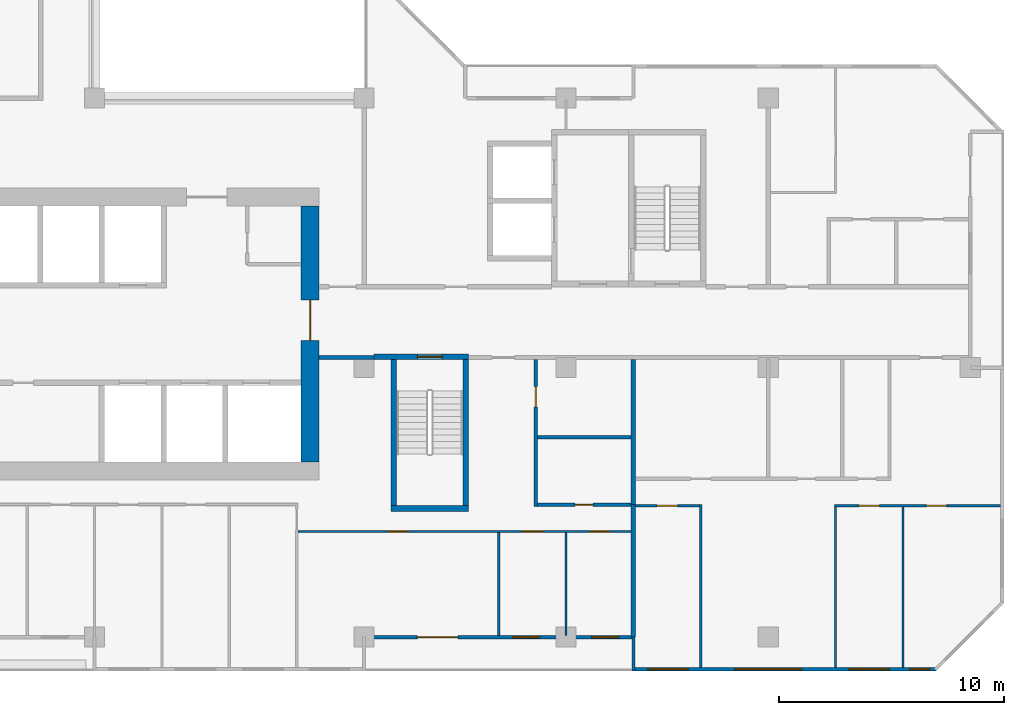
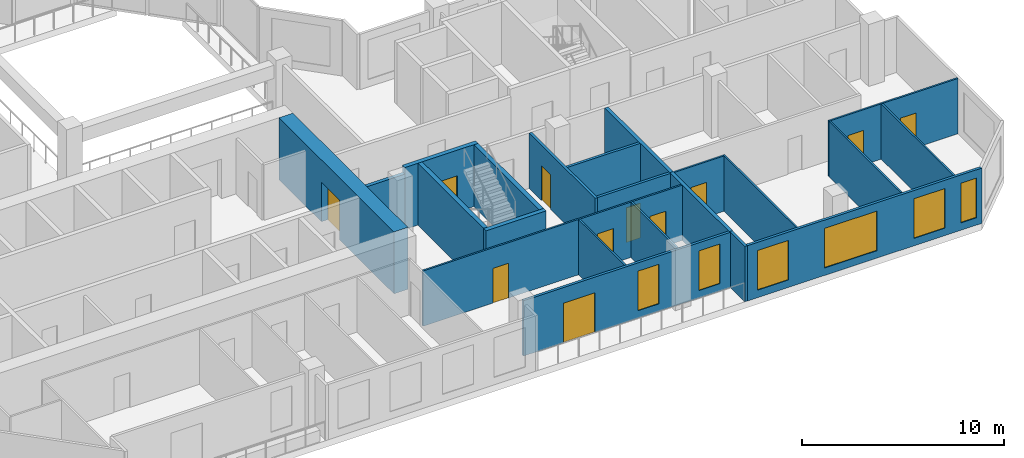
# One storey, part 6 of 14: 22 walls, 11 doors, 6 windows, 17 openings.
"""IFC4 building model written with IfcOpenShell, lengths in metres."""

import ifcopenshell
import ifcopenshell.guid

model = None  # the IFC model being written
_history = None  # IfcOwnerHistory: only IFC2X3 demands one
_inside = {}  # id of a spatial element -> (the spatial element, [elements in it])
_under = {}  # id of a project, library or spatial element -> (it, [spatial elements below it])
_declared = {}  # id of a project -> (the project, [libraries it declares])
_typed = {}  # id of a type object -> (the type object, [elements of that type])
_made_of = {}  # id of a material, layer set ... -> (it, [elements and type objects made of it])


def new_model(schema):
    """Start an empty IFC model of exactly this schema.

    Asked for "IFC4X3", IfcOpenShell would pick the latest addendum, in which some entities
    have other attributes; the version numbers below select the first issue.
    IFC2X3 requires an IfcOwnerHistory on every rooted entity: one is made here for all.
    """
    global model, _history
    if schema == "IFC4X3":
        model = ifcopenshell.file(schema_version=(4, 3, 0, 0))
    else:
        model = ifcopenshell.file(schema=schema)
    _inside.clear()
    _under.clear()
    _declared.clear()
    _typed.clear()
    _made_of.clear()
    _history = None
    if model.schema == "IFC2X3":
        org = make("IfcOrganization", Name="unknown")
        user = make(
            "IfcPersonAndOrganization",
            ThePerson=make("IfcPerson", FamilyName="unknown"),
            TheOrganization=org,
        )
        app = make(
            "IfcApplication",
            ApplicationDeveloper=org,
            Version="unknown",
            ApplicationFullName="unknown",
            ApplicationIdentifier="unknown",
        )
        _history = make(
            "IfcOwnerHistory",
            OwningUser=user,
            OwningApplication=app,
            ChangeAction="ADDED",
            CreationDate=0,
        )
    return model


def make(cls, **values):
    """One entity of the class cls with the attributes given. An attribute that is None is left unset."""
    return model.create_entity(
        cls, **{name: value for name, value in values.items() if value is not None}
    )


def rooted(cls, **values):
    """An entity with a GlobalId (a new one), such as an element, a storey or a relation."""
    return make(cls, GlobalId=ifcopenshell.guid.new(), OwnerHistory=_history, **values)


def si_unit(unit_type, name, prefix=None):
    """IfcSIUnit, for example si_unit("LENGTHUNIT", "METRE", prefix="MILLI")."""
    return make("IfcSIUnit", UnitType=unit_type, Prefix=prefix, Name=name)


def assignment(units):
    """IfcUnitAssignment: the units of a project."""
    return None if units is None else make("IfcUnitAssignment", Units=units)


def point(xyz):
    """IfcCartesianPoint."""
    return None if xyz is None else make("IfcCartesianPoint", Coordinates=xyz)


def direction(xyz):
    """IfcDirection."""
    return None if xyz is None else make("IfcDirection", DirectionRatios=xyz)


def frame(location, z_axis=None, x_axis=None):
    """IfcAxis2Placement3D, a coordinate frame: its origin and axes. An axis left out is left unset."""
    return make(
        "IfcAxis2Placement3D",
        Location=point(location),
        Axis=direction(z_axis),
        RefDirection=direction(x_axis),
    )


def frame_2d(location, x_axis=None):
    """IfcAxis2Placement2D, a coordinate frame in the plane: its origin and x axis."""
    return make(
        "IfcAxis2Placement2D", Location=point(location), RefDirection=direction(x_axis)
    )


def origin():
    """The frame at (0, 0, 0) with its axes left unset."""
    return frame((0.0, 0.0, 0.0))


def place(relative_to, where):
    """IfcLocalPlacement: puts the frame where relative to a parent placement (None: the world)."""
    return make(
        "IfcLocalPlacement", PlacementRelTo=relative_to, RelativePlacement=where
    )


def context(
    kind, dimensions, precision=None, world=None, true_north=None, identifier=None
):
    """IfcGeometricRepresentationContext, for example the 3D "Model" context."""
    return make(
        "IfcGeometricRepresentationContext",
        ContextIdentifier=identifier,
        ContextType=kind,
        CoordinateSpaceDimension=dimensions,
        Precision=precision,
        WorldCoordinateSystem=world,
        TrueNorth=true_north,
    )


def subcontext(parent, identifier, kind, view, scale=None):
    """IfcGeometricRepresentationSubContext, for example "Body" below "Model"."""
    return make(
        "IfcGeometricRepresentationSubContext",
        ContextIdentifier=identifier,
        ContextType=kind,
        ParentContext=parent,
        TargetScale=scale,
        TargetView=view,
    )


def project(units=None, contexts=None):
    """IfcProject with its units and contexts."""
    return rooted(
        "IfcProject",
        Name="project",
        RepresentationContexts=contexts,
        UnitsInContext=assignment(units),
    )


def spatial(cls, under=None, at=None, **own):
    """A site, building, storey or space (cls), placed at a placement, below another one or the project."""
    s = rooted(cls, ObjectPlacement=at, **own)
    if under is not None:
        _under.setdefault(under.id(), (under, []))[1].append(s)
    return s


def profile(cls, at=None, kind="AREA", **sizes):
    """A parametric profile (cls). Its sizes go by their IFC names, for example OverallWidth=200.0."""
    return make(cls, ProfileType=kind, Position=at, **sizes)


def rectangle(**sizes):
    """IfcRectangleProfileDef."""
    return profile("IfcRectangleProfileDef", **sizes)


def extrude(swept, where, along, depth):
    """IfcExtrudedAreaSolid: the profile swept, set in the frame where, extruded along a direction by depth."""
    return make(
        "IfcExtrudedAreaSolid",
        SweptArea=swept,
        Position=where,
        ExtrudedDirection=direction(along),
        Depth=depth,
    )


def shape(context_of_items, identifier, shape_type, items):
    """IfcShapeRepresentation: the items that make up one representation, for example the "Body"."""
    return make(
        "IfcShapeRepresentation",
        ContextOfItems=context_of_items,
        RepresentationIdentifier=identifier,
        RepresentationType=shape_type,
        Items=items,
    )


def material(Name=None, Category=None):
    """IfcMaterial."""
    return make("IfcMaterial", Name=Name, Category=Category)


def layer(
    of_material, thickness, ventilated=None, Name=None, Category=None, Priority=None
):
    """IfcMaterialLayer: one layer of a wall or slab, of a material (None: an air gap)."""
    return make(
        "IfcMaterialLayer",
        Material=of_material,
        LayerThickness=thickness,
        IsVentilated=ventilated,
        Name=Name,
        Category=Category,
        Priority=Priority,
    )


def layer_set(layers, Name=None):
    """IfcMaterialLayerSet."""
    return make("IfcMaterialLayerSet", MaterialLayers=layers, LayerSetName=Name)


def made_of(thing, what):
    """Note that an element or type object is made of a material, layer set ...; save() writes the relation."""
    if what is not None:
        _made_of.setdefault(what.id(), (what, []))[1].append(thing)
    return thing


def type_object(cls, material=None, **own):
    """A type object (cls), such as IfcWallType, which elements share."""
    return made_of(rooted(cls, **own), material)


def element(
    cls,
    number,
    at=None,
    inside=None,
    cuts=None,
    type_object=None,
    material=None,
    context=None,
    identifier="Body",
    shape_type=None,
    held_by="IfcProductDefinitionShape",
    body=None,
    shapes=None,
    **own,
):
    """One element of the class cls, such as IfcWall. Its Tag is "e" and its number.

    at: its placement. inside: the storey or other place that contains it. cuts: it is an
    opening in that element (IfcRelVoidsElement). A single representation is given by context,
    identifier, shape_type and body (its items); several are given by shapes. held_by: the class
    of the entity that holds the representations. save() writes the other relations.
    """
    e = rooted(cls, Tag="e%d" % number, ObjectPlacement=at, **own)
    if body is not None:
        shapes = [shape(context, identifier, shape_type, body)]
    if shapes is not None:
        e.Representation = make(held_by, Representations=shapes)
    if inside is not None:
        _inside.setdefault(inside.id(), (inside, []))[1].append(e)
    if cuts is not None:
        rooted(
            "IfcRelVoidsElement", RelatingBuildingElement=cuts, RelatedOpeningElement=e
        )
    if type_object is not None:
        _typed.setdefault(type_object.id(), (type_object, []))[1].append(e)
    return made_of(e, material)


def fill(opening, filler):
    """IfcRelFillsElement: the door or window that sits in an opening."""
    return rooted(
        "IfcRelFillsElement",
        RelatingOpeningElement=opening,
        RelatedBuildingElement=filler,
    )


def aggregate(whole, parts):
    """IfcRelAggregates: a whole, such as a stair, and the parts it consists of."""
    return rooted("IfcRelAggregates", RelatingObject=whole, RelatedObjects=parts)


def save(model, path):
    """Write the relations noted so far, then the file.

    IfcRelAggregates (storeys below a building ...), IfcRelContainedInSpatialStructure (elements
    in a storey), IfcRelDefinesByType, IfcRelAssociatesMaterial and IfcRelDeclares: one each for
    every whole, place, type object, material and project.
    """
    for whole, parts in _under.values():
        aggregate(whole, parts)
    for where, things in _inside.values():
        rooted(
            "IfcRelContainedInSpatialStructure",
            RelatedElements=things,
            RelatingStructure=where,
        )
    for kind, things in _typed.values():
        rooted("IfcRelDefinesByType", RelatedObjects=things, RelatingType=kind)
    for what, things in _made_of.values():
        rooted("IfcRelAssociatesMaterial", RelatedObjects=things, RelatingMaterial=what)
    for by, libraries in _declared.values():
        rooted("IfcRelDeclares", RelatingContext=by, RelatedDefinitions=libraries)
    model.write(path)


model = new_model("IFC4")

# Units and contexts
model_context = context("Model", 3, precision=1e-05, world=origin(), true_north=direction((0.0, 1.0)))
body_context = subcontext(model_context, "Body", "Model", "MODEL_VIEW")
ifc_project = project(units=[si_unit("LENGTHUNIT", "METRE"), si_unit("AREAUNIT", "SQUARE_METRE"), si_unit("VOLUMEUNIT", "CUBIC_METRE"), si_unit("PLANEANGLEUNIT", "RADIAN"), si_unit("MASSUNIT", "GRAM", prefix="KILO")], contexts=[model_context])

# Site, building, storey
site_placement = place(None, origin())
site = spatial("IfcSite", under=ifc_project, at=site_placement, CompositionType="ELEMENT")
building_placement = place(site_placement, origin())
building = spatial("IfcBuilding", under=site, at=building_placement, Name="Chenar Terraces", CompositionType="ELEMENT")
storey_placement = place(building_placement, frame((0.0, 0.0, 183.64990234375)))
storey = spatial("IfcBuildingStorey", under=building, at=storey_placement, Name="L42", CompositionType="ELEMENT", Elevation=183.64990234375)

# Wall
ifc_material_1 = material(Name="Concrete C60/75", Category="concrete")
ifc_layer_1 = layer(ifc_material_1, 0.25)
ifc_layer_set_1 = layer_set([ifc_layer_1], Name="Concrete C60/75")
wall_type_1 = type_object("IfcWallType", Name="Core wall 250 Concrete C60/75", PredefinedType="SHEAR", material=ifc_layer_set_1)
wall_1_placement = place(storey_placement, frame((37.199951171875, 5.72509765625, 0.0), z_axis=(0.0, 0.0, 1.0), x_axis=(1.0, 0.0, 0.0)))
element("IfcWall", 1, at=wall_1_placement, inside=storey, type_object=wall_type_1, Name="Core wall ST2_S L42", PredefinedType="SHEAR", context=body_context, shape_type="SweptSolid", body=[
    extrude(rectangle(XDim=3.449951171875, YDim=0.25, at=frame_2d((1.72509765625, 0.0))), origin(), (0.0, 0.0, 1.0), 3.75),
])

# Wall, opening, door
wall_2_placement = place(storey_placement, frame((36.449951171875, 12.47509765625, 0.0), z_axis=(0.0, 0.0, 1.0), x_axis=(1.0, 0.0, 0.0)))
wall_2 = element("IfcWall", 2, at=wall_2_placement, inside=storey, type_object=wall_type_1, Name="Core wall ST2_N L42", PredefinedType="SHEAR", context=body_context, shape_type="SweptSolid", body=[
    extrude(rectangle(XDim=4.199951171875, YDim=0.25, at=frame_2d((2.10009765625, 0.0))), origin(), (0.0, 0.0, 1.0), 3.75),
])
opening_1_placement = place(wall_2_placement, frame((1.925048828125, 0.0, 0.0)))
opening_1 = element("IfcOpeningElement", 3, at=opening_1_placement, cuts=wall_2, Name="Opening DL42-C7", PredefinedType="OPENING", context=body_context, shape_type="SweptSolid", body=[
    extrude(rectangle(XDim=1.10009765625, YDim=2.199951171875, at=frame_2d((0.550048828125, 1.10009765625))), frame((0.0, 0.135009765625, 0.0), z_axis=(0.0, -1.0, 0.0), x_axis=(1.0, 0.0, 0.0)), (0.0, 0.0, 1.0), 0.27001953125),
])
ifc_material_2 = material(Name="Steel-framed fire-resisting door leaf", Category="steel")
door_type_1 = type_object("IfcDoorType", Name="Stair fire door FD60 1100 x 2200", OperationType="SINGLE_SWING_LEFT", PredefinedType="DOOR", material=ifc_material_2)
door_1_placement = place(opening_1_placement, frame((1.10009765625, 0.0, 0.0), z_axis=(0.0, 0.0, 1.0), x_axis=(-1.0, 0.0, 0.0)))
door_1 = element("IfcDoor", 4, at=door_1_placement, inside=storey, type_object=door_type_1, Name="Stair door DL42-C7", OperationType="SINGLE_SWING_RIGHT", OverallHeight=2.199951171875, OverallWidth=1.10009765625, PredefinedType="DOOR", context=body_context, shape_type="SweptSolid", body=[
    extrude(rectangle(XDim=1.10009765625, YDim=2.199951171875, at=frame_2d((0.550048828125, 1.10009765625))), frame((0.0, 0.02490234375, 0.0), z_axis=(0.0, -1.0, 0.0), x_axis=(1.0, 0.0, 0.0)), (0.0, 0.0, 1.0), 0.050048828125),
])
fill(opening_1, door_1)

# Walls
for number, where, z_axis, x_axis, name in (
    (5, (37.324951171875, 5.85009765625, 0.0), (0.0, 0.0, 1.0), (0.0, 1.0, 0.0), "Core wall ST2_W L42"),
    (6, (40.52490234375, 5.85009765625, 0.0), (0.0, 0.0, 1.0), (0.0, 1.0, 0.0), "Core wall ST2_E L42"),
):
    element("IfcWall", number, at=place(storey_placement, frame(where, z_axis=z_axis, x_axis=x_axis)), inside=storey, type_object=wall_type_1, Name=name, PredefinedType="SHEAR", context=body_context, shape_type="SweptSolid", body=[
        extrude(rectangle(XDim=6.5, YDim=0.25, at=frame_2d((3.25, 0.0))), origin(), (0.0, 0.0, 1.0), 3.75),
    ])

# Wall, opening, door
ifc_material_3 = material(Name="Concrete C60/75", Category="concrete")
ifc_layer_2 = layer(ifc_material_3, 0.800048828125)
ifc_layer_set_2 = layer_set([ifc_layer_2], Name="Concrete C60/75")
wall_type_2 = type_object("IfcWallType", Name="Core wall 800 Concrete C60/75", PredefinedType="SHEAR", material=ifc_layer_set_2)
wall_3_placement = place(storey_placement, frame((33.60009765625, 7.800048828125, 0.0), z_axis=(0.0, 0.0, 1.0), x_axis=(0.0, 1.0, 0.0)))
wall_3 = element("IfcWall", 7, at=wall_3_placement, inside=storey, type_object=wall_type_2, Name="Core wall E L42", PredefinedType="SHEAR", context=body_context, shape_type="SweptSolid", body=[
    extrude(rectangle(XDim=11.39990234375, YDim=0.800048828125, at=frame_2d((5.699951171875, 0.0))), origin(), (0.0, 0.0, 1.0), 3.75),
])
opening_2_placement = place(wall_3_placement, frame((5.39990234375, 0.0, 0.0)))
opening_2 = element("IfcOpeningElement", 8, at=opening_2_placement, cuts=wall_3, Name="Opening DL42-C1", PredefinedType="OPENING", context=body_context, shape_type="SweptSolid", body=[
    extrude(rectangle(XDim=1.800048828125, YDim=2.39990234375, at=frame_2d((0.89990234375, 1.199951171875))), frame((0.0, 0.409912109375, 0.0), z_axis=(0.0, -1.0, 0.0), x_axis=(1.0, 0.0, 0.0)), (0.0, 0.0, 1.0), 0.820068359375),
])
ifc_material_4 = material(Name="Steel-framed fire-resisting door leaf", Category="steel")
door_type_2 = type_object("IfcDoorType", Name="Core entrance double fire door FD60 1800 x 2400", OperationType="DOUBLE_DOOR_SINGLE_SWING", PredefinedType="DOOR", material=ifc_material_4)
door_2_placement = place(opening_2_placement, origin())
door_2 = element("IfcDoor", 9, at=door_2_placement, inside=storey, type_object=door_type_2, Name="Core door DL42-C1", OperationType="DOUBLE_DOOR_SINGLE_SWING", OverallHeight=2.39990234375, OverallWidth=1.800048828125, PredefinedType="DOOR", context=body_context, shape_type="SweptSolid", body=[
    extrude(rectangle(XDim=1.800048828125, YDim=2.39990234375, at=frame_2d((0.89990234375, 1.199951171875))), frame((0.0, 0.02490234375, 0.0), z_axis=(0.0, -1.0, 0.0), x_axis=(1.0, 0.0, 0.0)), (0.0, 0.0, 1.0), 0.050048828125),
])
fill(opening_2, door_2)

# Wall
ifc_material_5 = material(Name="Gypsum board on steel studs with fire boards", Category="steel")
ifc_layer_3 = layer(ifc_material_5, 0.199951171875)
ifc_layer_set_3 = layer_set([ifc_layer_3], Name="Gypsum board on steel studs with fire boards")
wall_type_3 = type_object("IfcWallType", Name="Corridor wall 200", PredefinedType="PARTITIONING", material=ifc_layer_set_3)
wall_4_placement = place(storey_placement, frame((34.0, 12.449951171875, 0.0), z_axis=(0.0, 0.0, 1.0), x_axis=(1.0, 0.0, 0.0)))
element("IfcWall", 10, at=wall_4_placement, inside=storey, type_object=wall_type_3, Name="Partition L42-059", PredefinedType="PARTITIONING", context=body_context, shape_type="SweptSolid", body=[
    extrude(rectangle(XDim=2.450927734375, YDim=0.199951171875, at=frame_2d((1.2255859375, 0.0))), origin(), (0.0, 0.0, 1.0), 3.35009765625),
])

# Wall, openings, windows
ifc_material_6 = material(Name="Aluminium framed glazing", Category="aluminium")
ifc_layer_4 = layer(ifc_material_6, 0.14990234375)
ifc_layer_set_4 = layer_set([ifc_layer_4], Name="Aluminium framed glazing")
wall_type_4 = type_object("IfcWallType", Name="Glazed flush facade wall 150", PredefinedType="SOLIDWALL", material=ifc_layer_set_4)
wall_5_placement = place(storey_placement, frame((48.074951171875, -1.425048828125, 0.0), z_axis=(0.0, 0.0, 1.0), x_axis=(1.0, 0.0, 0.0)))
wall_5 = element("IfcWall", 11, at=wall_5_placement, inside=storey, type_object=wall_type_4, Name="Glazed flush facade wall", PredefinedType="SOLIDWALL", context=body_context, shape_type="SweptSolid", body=[
    extrude(rectangle(XDim=13.425048828125, YDim=0.14990234375, at=frame_2d((6.71240234375, 0.0))), origin(), (0.0, 0.0, 1.0), 3.35009765625),
])
opening_3_placement = place(wall_5_placement, frame((0.5625, 0.0, 0.449951171875)))
opening_3 = element("IfcOpeningElement", 12, at=opening_3_placement, cuts=wall_5, Name="Opening W180x240", PredefinedType="OPENING", context=body_context, shape_type="SweptSolid", body=[
    extrude(rectangle(XDim=1.800048828125, YDim=2.39990234375, at=frame_2d((0.89990234375, 1.199951171875))), frame((0.0, 0.0849609375, 0.0), z_axis=(0.0, -1.0, 0.0), x_axis=(1.0, 0.0, 0.0)), (0.0, 0.0, 1.0), 0.169921875),
])
opening_4_placement = place(wall_5_placement, frame((4.425048828125, 0.0, 0.449951171875)))
opening_4 = element("IfcOpeningElement", 13, at=opening_4_placement, cuts=wall_5, Name="Opening W300x240", PredefinedType="OPENING", context=body_context, shape_type="SweptSolid", body=[
    extrude(rectangle(XDim=3.0, YDim=2.39990234375, at=frame_2d((1.5, 1.199951171875))), frame((0.0, 0.0849609375, 0.0), z_axis=(0.0, -1.0, 0.0), x_axis=(1.0, 0.0, 0.0)), (0.0, 0.0, 1.0), 0.169921875),
])
opening_5_placement = place(wall_5_placement, frame((9.52490234375, 0.0, 0.449951171875)))
opening_5 = element("IfcOpeningElement", 14, at=opening_5_placement, cuts=wall_5, Name="Opening W180x240", PredefinedType="OPENING", context=body_context, shape_type="SweptSolid", body=[
    extrude(rectangle(XDim=1.800048828125, YDim=2.39990234375, at=frame_2d((0.89990234375, 1.199951171875))), frame((0.0, 0.0849609375, 0.0), z_axis=(0.0, -1.0, 0.0), x_axis=(1.0, 0.0, 0.0)), (0.0, 0.0, 1.0), 0.169921875),
])
opening_6_placement = place(wall_5_placement, frame((12.22509765625, 0.0, 0.449951171875)))
opening_6 = element("IfcOpeningElement", 15, at=opening_6_placement, cuts=wall_5, Name="Opening W90x240", PredefinedType="OPENING", context=body_context, shape_type="SweptSolid", body=[
    extrude(rectangle(XDim=0.89990234375, YDim=2.39990234375, at=frame_2d((0.449951171875, 1.199951171875))), frame((0.0, 0.0849609375, 0.0), z_axis=(0.0, -1.0, 0.0), x_axis=(1.0, 0.0, 0.0)), (0.0, 0.0, 1.0), 0.169921875),
])
ifc_material_7 = material(Name="Low emissivity double glazing, aluminium frame", Category="aluminium")
window_type_1 = type_object("IfcWindowType", Name="Fixed light 1800 x 2400", PartitioningType="SINGLE_PANEL", PredefinedType="WINDOW", material=ifc_material_7)
window_1_placement = place(opening_3_placement, origin())
window_1 = element("IfcWindow", 16, at=window_1_placement, inside=storey, type_object=window_type_1, Name="Window", OverallHeight=2.39990234375, OverallWidth=1.800048828125, PartitioningType="SINGLE_PANEL", PredefinedType="WINDOW", context=body_context, shape_type="SweptSolid", body=[
    extrude(rectangle(XDim=1.800048828125, YDim=2.39990234375, at=frame_2d((0.89990234375, 1.199951171875))), frame((0.0, 0.030029296875, 0.0), z_axis=(0.0, -1.0, 0.0), x_axis=(1.0, 0.0, 0.0)), (0.0, 0.0, 1.0), 0.06005859375),
])
fill(opening_3, window_1)
window_2_placement = place(opening_5_placement, origin())
window_2 = element("IfcWindow", 17, at=window_2_placement, inside=storey, type_object=window_type_1, Name="Window", OverallHeight=2.39990234375, OverallWidth=1.800048828125, PartitioningType="SINGLE_PANEL", PredefinedType="WINDOW", context=body_context, shape_type="SweptSolid", body=[
    extrude(rectangle(XDim=1.800048828125, YDim=2.39990234375, at=frame_2d((0.89990234375, 1.199951171875))), frame((0.0, 0.030029296875, 0.0), z_axis=(0.0, -1.0, 0.0), x_axis=(1.0, 0.0, 0.0)), (0.0, 0.0, 1.0), 0.06005859375),
])
fill(opening_5, window_2)
ifc_material_8 = material(Name="Low emissivity double glazing, aluminium frame", Category="aluminium")
window_type_2 = type_object("IfcWindowType", Name="Fixed light 3000 x 2400", PartitioningType="SINGLE_PANEL", PredefinedType="WINDOW", material=ifc_material_8)
window_3_placement = place(opening_4_placement, origin())
window_3 = element("IfcWindow", 18, at=window_3_placement, inside=storey, type_object=window_type_2, Name="Window", OverallHeight=2.39990234375, OverallWidth=3.0, PartitioningType="SINGLE_PANEL", PredefinedType="WINDOW", context=body_context, shape_type="SweptSolid", body=[
    extrude(rectangle(XDim=3.0, YDim=2.39990234375, at=frame_2d((1.5, 1.199951171875))), frame((0.0, 0.030029296875, 0.0), z_axis=(0.0, -1.0, 0.0), x_axis=(1.0, 0.0, 0.0)), (0.0, 0.0, 1.0), 0.06005859375),
])
fill(opening_4, window_3)
ifc_material_9 = material(Name="Low emissivity double glazing, aluminium frame", Category="aluminium")
window_type_3 = type_object("IfcWindowType", Name="Fixed light 900 x 2400", PartitioningType="SINGLE_PANEL", PredefinedType="WINDOW", material=ifc_material_9)
window_4_placement = place(opening_6_placement, origin())
window_4 = element("IfcWindow", 19, at=window_4_placement, inside=storey, type_object=window_type_3, Name="Window", OverallHeight=2.39990234375, OverallWidth=0.89990234375, PartitioningType="SINGLE_PANEL", PredefinedType="WINDOW", context=body_context, shape_type="SweptSolid", body=[
    extrude(rectangle(XDim=0.89990234375, YDim=2.39990234375, at=frame_2d((0.449951171875, 1.199951171875))), frame((0.0, 0.030029296875, 0.0), z_axis=(0.0, -1.0, 0.0), x_axis=(1.0, 0.0, 0.0)), (0.0, 0.0, 1.0), 0.06005859375),
])
fill(opening_6, window_4)

# Wall, openings, windows, door
ifc_material_10 = material(Name="Aluminium framed glazing", Category="aluminium")
ifc_layer_5 = layer(ifc_material_10, 0.14990234375)
ifc_layer_set_5 = layer_set([ifc_layer_5], Name="Aluminium framed glazing")
wall_type_5 = type_object("IfcWallType", Name="Glazed loggia back wall 150", PredefinedType="SOLIDWALL", material=ifc_layer_set_5)
wall_6_placement = place(storey_placement, frame((36.074951171875, 0.0, 0.0), z_axis=(0.0, 0.0, 1.0), x_axis=(1.0, 0.0, 0.0)))
wall_6 = element("IfcWall", 20, at=wall_6_placement, inside=storey, type_object=wall_type_5, Name="Glazed loggia back wall", PredefinedType="SOLIDWALL", context=body_context, shape_type="SweptSolid", body=[
    extrude(rectangle(XDim=11.85009765625, YDim=0.14990234375, at=frame_2d((5.925048828125, 0.0))), origin(), (0.0, 0.0, 1.0), 3.35009765625),
])
opening_7_placement = place(wall_6_placement, frame((2.300048828125, 0.0, 0.0)))
opening_7 = element("IfcOpeningElement", 21, at=opening_7_placement, cuts=wall_6, Name="Opening DL42-G6", PredefinedType="OPENING", context=body_context, shape_type="SweptSolid", body=[
    extrude(rectangle(XDim=1.800048828125, YDim=2.39990234375, at=frame_2d((0.89990234375, 1.199951171875))), frame((0.0, 0.0849609375, 0.0), z_axis=(0.0, -1.0, 0.0), x_axis=(1.0, 0.0, 0.0)), (0.0, 0.0, 1.0), 0.169921875),
])
opening_8_placement = place(wall_6_placement, frame((6.550048828125, 0.0, 0.449951171875)))
opening_8 = element("IfcOpeningElement", 22, at=opening_8_placement, cuts=wall_6, Name="Opening W120x240", PredefinedType="OPENING", context=body_context, shape_type="SweptSolid", body=[
    extrude(rectangle(XDim=1.199951171875, YDim=2.39990234375, at=frame_2d((0.60009765625, 1.199951171875))), frame((0.0, 0.0849609375, 0.0), z_axis=(0.0, -1.0, 0.0), x_axis=(1.0, 0.0, 0.0)), (0.0, 0.0, 1.0), 0.169921875),
])
opening_9_placement = place(wall_6_placement, frame((10.0625, 0.0, 0.449951171875)))
opening_9 = element("IfcOpeningElement", 23, at=opening_9_placement, cuts=wall_6, Name="Opening W120x240", PredefinedType="OPENING", context=body_context, shape_type="SweptSolid", body=[
    extrude(rectangle(XDim=1.199951171875, YDim=2.39990234375, at=frame_2d((0.60009765625, 1.199951171875))), frame((0.0, 0.0849609375, 0.0), z_axis=(0.0, -1.0, 0.0), x_axis=(1.0, 0.0, 0.0)), (0.0, 0.0, 1.0), 0.169921875),
])
ifc_material_11 = material(Name="Low emissivity double glazing, aluminium frame", Category="aluminium")
window_type_4 = type_object("IfcWindowType", Name="Fixed light 1200 x 2400", PartitioningType="SINGLE_PANEL", PredefinedType="WINDOW", material=ifc_material_11)
window_5_placement = place(opening_8_placement, origin())
window_5 = element("IfcWindow", 24, at=window_5_placement, inside=storey, type_object=window_type_4, Name="Window", OverallHeight=2.39990234375, OverallWidth=1.199951171875, PartitioningType="SINGLE_PANEL", PredefinedType="WINDOW", context=body_context, shape_type="SweptSolid", body=[
    extrude(rectangle(XDim=1.199951171875, YDim=2.39990234375, at=frame_2d((0.60009765625, 1.199951171875))), frame((0.0, 0.030029296875, 0.0), z_axis=(0.0, -1.0, 0.0), x_axis=(1.0, 0.0, 0.0)), (0.0, 0.0, 1.0), 0.06005859375),
])
fill(opening_8, window_5)
window_6_placement = place(opening_9_placement, origin())
window_6 = element("IfcWindow", 25, at=window_6_placement, inside=storey, type_object=window_type_4, Name="Window", OverallHeight=2.39990234375, OverallWidth=1.199951171875, PartitioningType="SINGLE_PANEL", PredefinedType="WINDOW", context=body_context, shape_type="SweptSolid", body=[
    extrude(rectangle(XDim=1.199951171875, YDim=2.39990234375, at=frame_2d((0.60009765625, 1.199951171875))), frame((0.0, 0.030029296875, 0.0), z_axis=(0.0, -1.0, 0.0), x_axis=(1.0, 0.0, 0.0)), (0.0, 0.0, 1.0), 0.06005859375),
])
fill(opening_9, window_6)
ifc_material_12 = material(Name="Low emissivity double glazing, aluminium frame", Category="aluminium")
door_type_3 = type_object("IfcDoorType", Name="Loggia glazed double door 1800 x 2400", OperationType="DOUBLE_DOOR_SINGLE_SWING", PredefinedType="DOOR", material=ifc_material_12)
door_3_placement = place(opening_7_placement, frame((1.800048828125, 0.0, 0.0), z_axis=(0.0, 0.0, 1.0), x_axis=(-1.0, 0.0, 0.0)))
door_3 = element("IfcDoor", 26, at=door_3_placement, inside=storey, type_object=door_type_3, Name="Loggia glazed door", OperationType="DOUBLE_DOOR_SINGLE_SWING", OverallHeight=2.39990234375, OverallWidth=1.800048828125, PredefinedType="DOOR", context=body_context, shape_type="SweptSolid", body=[
    extrude(rectangle(XDim=1.800048828125, YDim=2.39990234375, at=frame_2d((0.89990234375, 1.199951171875))), frame((0.0, 0.02490234375, 0.0), z_axis=(0.0, -1.0, 0.0), x_axis=(1.0, 0.0, 0.0)), (0.0, 0.0, 1.0), 0.050048828125),
])
fill(opening_7, door_3)

# Wall, openings, doors
ifc_material_13 = material(Name="Gypsum board on steel studs", Category="steel")
ifc_layer_6 = layer(ifc_material_13, 0.10009765625)
ifc_layer_set_6 = layer_set([ifc_layer_6], Name="Gypsum board on steel studs")
wall_type_6 = type_object("IfcWallType", Name="Gypsum partition 100", PredefinedType="PARTITIONING", material=ifc_layer_set_6)
wall_7_placement = place(storey_placement, frame((33.050048828125, 4.699951171875, 0.0), z_axis=(0.0, 0.0, 1.0), x_axis=(1.0, 0.0, 0.0)))
wall_7 = element("IfcWall", 27, at=wall_7_placement, inside=storey, type_object=wall_type_6, Name="Partition L42-058", PredefinedType="PARTITIONING", context=body_context, shape_type="SweptSolid", body=[
    extrude(rectangle(XDim=14.849853515625, YDim=0.10009765625, at=frame_2d((7.4248046875, 0.0))), origin(), (0.0, 0.0, 1.0), 3.35009765625),
])
opening_10_placement = place(wall_7_placement, frame((10.0, 0.0, 0.0)))
opening_10 = element("IfcOpeningElement", 28, at=opening_10_placement, cuts=wall_7, Name="Opening DL42-45", PredefinedType="OPENING", context=body_context, shape_type="SweptSolid", body=[
    extrude(rectangle(XDim=0.89990234375, YDim=2.10009765625, at=frame_2d((0.449951171875, 1.050048828125))), frame((0.0, 0.06005859375, 0.0), z_axis=(0.0, -1.0, 0.0), x_axis=(1.0, 0.0, 0.0)), (0.0, 0.0, 1.0), 0.1201171875),
])
opening_11_placement = place(wall_7_placement, frame((13.0, 0.0, 0.0)))
opening_11 = element("IfcOpeningElement", 29, at=opening_11_placement, cuts=wall_7, Name="Opening DL42-46", PredefinedType="OPENING", context=body_context, shape_type="SweptSolid", body=[
    extrude(rectangle(XDim=0.89990234375, YDim=2.10009765625, at=frame_2d((0.449951171875, 1.050048828125))), frame((0.0, 0.06005859375, 0.0), z_axis=(0.0, -1.0, 0.0), x_axis=(1.0, 0.0, 0.0)), (0.0, 0.0, 1.0), 0.1201171875),
])
opening_12_placement = place(wall_7_placement, frame((4.0, 0.0, 0.0)))
opening_12 = element("IfcOpeningElement", 30, at=opening_12_placement, cuts=wall_7, Name="Opening DL42-52", PredefinedType="OPENING", context=body_context, shape_type="SweptSolid", body=[
    extrude(rectangle(XDim=0.89990234375, YDim=2.10009765625, at=frame_2d((0.449951171875, 1.050048828125))), frame((0.0, 0.06005859375, 0.0), z_axis=(0.0, -1.0, 0.0), x_axis=(1.0, 0.0, 0.0)), (0.0, 0.0, 1.0), 0.1201171875),
])
ifc_material_14 = material(Name="Veneered timber door leaf", Category="wood")
door_type_4 = type_object("IfcDoorType", Name="Door 900 x 2100", OperationType="SINGLE_SWING_LEFT", PredefinedType="DOOR", material=ifc_material_14)
door_4_placement = place(opening_10_placement, frame((0.89990234375, 0.0, 0.0), z_axis=(0.0, 0.0, 1.0), x_axis=(-1.0, 0.0, 0.0)))
door_4 = element("IfcDoor", 31, at=door_4_placement, inside=storey, type_object=door_type_4, Name="Door DL42-45", OperationType="SINGLE_SWING_LEFT", OverallHeight=2.10009765625, OverallWidth=0.89990234375, PredefinedType="DOOR", context=body_context, shape_type="SweptSolid", body=[
    extrude(rectangle(XDim=0.89990234375, YDim=2.10009765625, at=frame_2d((0.449951171875, 1.050048828125))), frame((0.0, 0.02490234375, 0.0), z_axis=(0.0, -1.0, 0.0), x_axis=(1.0, 0.0, 0.0)), (0.0, 0.0, 1.0), 0.050048828125),
])
fill(opening_10, door_4)
door_5_placement = place(opening_11_placement, frame((0.89990234375, 0.0, 0.0), z_axis=(0.0, 0.0, 1.0), x_axis=(-1.0, 0.0, 0.0)))
door_5 = element("IfcDoor", 32, at=door_5_placement, inside=storey, type_object=door_type_4, Name="Door DL42-46", OperationType="SINGLE_SWING_LEFT", OverallHeight=2.10009765625, OverallWidth=0.89990234375, PredefinedType="DOOR", context=body_context, shape_type="SweptSolid", body=[
    extrude(rectangle(XDim=0.89990234375, YDim=2.10009765625, at=frame_2d((0.449951171875, 1.050048828125))), frame((0.0, 0.02490234375, 0.0), z_axis=(0.0, -1.0, 0.0), x_axis=(1.0, 0.0, 0.0)), (0.0, 0.0, 1.0), 0.050048828125),
])
fill(opening_11, door_5)
door_6_placement = place(opening_12_placement, frame((0.89990234375, 0.0, 0.0), z_axis=(0.0, 0.0, 1.0), x_axis=(-1.0, 0.0, 0.0)))
door_6 = element("IfcDoor", 33, at=door_6_placement, inside=storey, type_object=door_type_4, Name="Door DL42-52", OperationType="SINGLE_SWING_LEFT", OverallHeight=2.10009765625, OverallWidth=0.89990234375, PredefinedType="DOOR", context=body_context, shape_type="SweptSolid", body=[
    extrude(rectangle(XDim=0.89990234375, YDim=2.10009765625, at=frame_2d((0.449951171875, 1.050048828125))), frame((0.0, 0.02490234375, 0.0), z_axis=(0.0, -1.0, 0.0), x_axis=(1.0, 0.0, 0.0)), (0.0, 0.0, 1.0), 0.050048828125),
])
fill(opening_12, door_6)

# Walls
for number, where, z_axis, x_axis, name in (
    (34, (42.0, 0.073974609375, 0.0), (0.0, 0.0, 1.0), (0.0, 1.0, 0.0), "Partition L42-063"),
    (35, (45.0, 0.073974609375, 0.0), (0.0, 0.0, 1.0), (0.0, 1.0, 0.0), "Partition L42-067"),
):
    element("IfcWall", number, at=place(storey_placement, frame(where, z_axis=z_axis, x_axis=x_axis)), inside=storey, type_object=wall_type_6, Name=name, PredefinedType="PARTITIONING", context=body_context, shape_type="SweptSolid", body=[
        extrude(rectangle(XDim=4.575927734375, YDim=0.10009765625, at=frame_2d((2.2880859375, 0.0))), origin(), (0.0, 0.0, 1.0), 3.35009765625),
    ])

# Wall, opening, door
wall_8_placement = place(storey_placement, frame((48.10009765625, 5.85009765625, 0.0), z_axis=(0.0, 0.0, 1.0), x_axis=(1.0, 0.0, 0.0)))
wall_8 = element("IfcWall", 36, at=wall_8_placement, inside=storey, type_object=wall_type_6, Name="Partition L42-071", PredefinedType="PARTITIONING", context=body_context, shape_type="SweptSolid", body=[
    extrude(rectangle(XDim=2.849853515625, YDim=0.10009765625, at=frame_2d((1.4248046875, 0.0))), origin(), (0.0, 0.0, 1.0), 3.35009765625),
])
opening_13_placement = place(wall_8_placement, frame((0.949951171875, 0.0, 0.0)))
opening_13 = element("IfcOpeningElement", 37, at=opening_13_placement, cuts=wall_8, Name="Opening DL42-9", PredefinedType="OPENING", context=body_context, shape_type="SweptSolid", body=[
    extrude(rectangle(XDim=0.89990234375, YDim=2.10009765625, at=frame_2d((0.449951171875, 1.050048828125))), frame((0.0, 0.06005859375, 0.0), z_axis=(0.0, -1.0, 0.0), x_axis=(1.0, 0.0, 0.0)), (0.0, 0.0, 1.0), 0.1201171875),
])
door_7_placement = place(opening_13_placement, frame((0.89990234375, 0.0, 0.0), z_axis=(0.0, 0.0, 1.0), x_axis=(-1.0, 0.0, 0.0)))
door_7 = element("IfcDoor", 38, at=door_7_placement, inside=storey, type_object=door_type_4, Name="Door DL42-9", OperationType="SINGLE_SWING_LEFT", OverallHeight=2.10009765625, OverallWidth=0.89990234375, PredefinedType="DOOR", context=body_context, shape_type="SweptSolid", body=[
    extrude(rectangle(XDim=0.89990234375, YDim=2.10009765625, at=frame_2d((0.449951171875, 1.050048828125))), frame((0.0, 0.02490234375, 0.0), z_axis=(0.0, -1.0, 0.0), x_axis=(1.0, 0.0, 0.0)), (0.0, 0.0, 1.0), 0.050048828125),
])
fill(opening_13, door_7)

# Wall
wall_9_placement = place(storey_placement, frame((51.0, -1.35009765625, 0.0), z_axis=(0.0, 0.0, 1.0), x_axis=(0.0, 1.0, 0.0)))
element("IfcWall", 39, at=wall_9_placement, inside=storey, type_object=wall_type_6, Name="Partition L42-073", PredefinedType="PARTITIONING", context=body_context, shape_type="SweptSolid", body=[
    extrude(rectangle(XDim=7.25, YDim=0.10009765625, at=frame_2d((3.625, 0.0))), origin(), (0.0, 0.0, 1.0), 3.35009765625),
])

# Wall, openings, doors
wall_10_placement = place(storey_placement, frame((56.949951171875, 5.85009765625, 0.0), z_axis=(0.0, 0.0, 1.0), x_axis=(1.0, 0.0, 0.0)))
wall_10 = element("IfcWall", 40, at=wall_10_placement, inside=storey, type_object=wall_type_6, Name="Partition L42-080", PredefinedType="PARTITIONING", context=body_context, shape_type="SweptSolid", body=[
    extrude(rectangle(XDim=7.400146484375, YDim=0.10009765625, at=frame_2d((3.7001953125, 0.0))), origin(), (0.0, 0.0, 1.0), 3.35009765625),
])
opening_14_placement = place(wall_10_placement, frame((4.10009765625, 0.0, 0.0)))
opening_14 = element("IfcOpeningElement", 41, at=opening_14_placement, cuts=wall_10, Name="Opening DL42-10", PredefinedType="OPENING", context=body_context, shape_type="SweptSolid", body=[
    extrude(rectangle(XDim=0.89990234375, YDim=2.10009765625, at=frame_2d((0.449951171875, 1.050048828125))), frame((0.0, 0.06005859375, 0.0), z_axis=(0.0, -1.0, 0.0), x_axis=(1.0, 0.0, 0.0)), (0.0, 0.0, 1.0), 0.1201171875),
])
opening_15_placement = place(wall_10_placement, frame((1.10009765625, 0.0, 0.0)))
opening_15 = element("IfcOpeningElement", 42, at=opening_15_placement, cuts=wall_10, Name="Opening DL42-13", PredefinedType="OPENING", context=body_context, shape_type="SweptSolid", body=[
    extrude(rectangle(XDim=0.89990234375, YDim=2.10009765625, at=frame_2d((0.449951171875, 1.050048828125))), frame((0.0, 0.06005859375, 0.0), z_axis=(0.0, -1.0, 0.0), x_axis=(1.0, 0.0, 0.0)), (0.0, 0.0, 1.0), 0.1201171875),
])
door_8_placement = place(opening_14_placement, frame((0.89990234375, 0.0, 0.0), z_axis=(0.0, 0.0, 1.0), x_axis=(-1.0, 0.0, 0.0)))
door_8 = element("IfcDoor", 43, at=door_8_placement, inside=storey, type_object=door_type_4, Name="Door DL42-10", OperationType="SINGLE_SWING_RIGHT", OverallHeight=2.10009765625, OverallWidth=0.89990234375, PredefinedType="DOOR", context=body_context, shape_type="SweptSolid", body=[
    extrude(rectangle(XDim=0.89990234375, YDim=2.10009765625, at=frame_2d((0.449951171875, 1.050048828125))), frame((0.0, 0.02490234375, 0.0), z_axis=(0.0, -1.0, 0.0), x_axis=(1.0, 0.0, 0.0)), (0.0, 0.0, 1.0), 0.050048828125),
])
fill(opening_14, door_8)
door_9_placement = place(opening_15_placement, frame((0.89990234375, 0.0, 0.0), z_axis=(0.0, 0.0, 1.0), x_axis=(-1.0, 0.0, 0.0)))
door_9 = element("IfcDoor", 44, at=door_9_placement, inside=storey, type_object=door_type_4, Name="Door DL42-13", OperationType="SINGLE_SWING_RIGHT", OverallHeight=2.10009765625, OverallWidth=0.89990234375, PredefinedType="DOOR", context=body_context, shape_type="SweptSolid", body=[
    extrude(rectangle(XDim=0.89990234375, YDim=2.10009765625, at=frame_2d((0.449951171875, 1.050048828125))), frame((0.0, 0.02490234375, 0.0), z_axis=(0.0, -1.0, 0.0), x_axis=(1.0, 0.0, 0.0)), (0.0, 0.0, 1.0), 0.050048828125),
])
fill(opening_15, door_9)

# Walls
for number, where, z_axis, x_axis, name in (
    (45, (57.0, -1.35009765625, 0.0), (0.0, 0.0, 1.0), (0.0, 1.0, 0.0), "Partition L42-081"),
    (46, (60.0, -1.35009765625, 0.0), (0.0, 0.0, 1.0), (0.0, 1.0, 0.0), "Partition L42-086"),
):
    element("IfcWall", number, at=place(storey_placement, frame(where, z_axis=z_axis, x_axis=x_axis)), inside=storey, type_object=wall_type_6, Name=name, PredefinedType="PARTITIONING", context=body_context, shape_type="SweptSolid", body=[
        extrude(rectangle(XDim=7.150146484375, YDim=0.10009765625, at=frame_2d((3.5751953125, 0.0))), origin(), (0.0, 0.0, 1.0), 3.35009765625),
    ])
ifc_material_15 = material(Name="Terracotta cladding on insulated backing", Category="masonry")
ifc_layer_7 = layer(ifc_material_15, 0.14990234375)
ifc_layer_set_7 = layer_set([ifc_layer_7], Name="Terracotta cladding on insulated backing")
wall_type_7 = type_object("IfcWallType", Name="Loggia return wall 150", PredefinedType="SOLIDWALL", material=ifc_layer_set_7)
wall_11_placement = place(storey_placement, frame((48.0, -1.5, 0.0), z_axis=(0.0, 0.0, 1.0), x_axis=(0.0, 1.0, 0.0)))
element("IfcWall", 47, at=wall_11_placement, inside=storey, type_object=wall_type_7, Name="Loggia return wall", PredefinedType="SOLIDWALL", context=body_context, shape_type="SweptSolid", body=[
    extrude(rectangle(XDim=1.5, YDim=0.14990234375, at=frame_2d((0.75, 0.0))), origin(), (0.0, 0.0, 1.0), 3.35009765625),
])
ifc_material_16 = material(Name="Twin gypsum board on steel studs with mineral wool", Category="steel")
ifc_layer_8 = layer(ifc_material_16, 0.199951171875)
ifc_layer_set_8 = layer_set([ifc_layer_8], Name="Twin gypsum board on steel studs with mineral wool")
wall_type_8 = type_object("IfcWallType", Name="Unit demising wall 200", PredefinedType="PARTITIONING", material=ifc_layer_set_8)
wall_12_placement = place(storey_placement, frame((48.0, 0.0, 0.0), z_axis=(0.0, 0.0, 1.0), x_axis=(0.0, 1.0, 0.0)))
element("IfcWall", 48, at=wall_12_placement, inside=storey, type_object=wall_type_8, Name="Partition L42-069", PredefinedType="PARTITIONING", context=body_context, shape_type="SweptSolid", body=[
    extrude(rectangle(XDim=5.89990234375, YDim=0.199951171875, at=frame_2d((2.949951171875, 0.0))), origin(), (0.0, 0.0, 1.0), 3.35009765625),
])
wall_13_placement = place(storey_placement, frame((48.0, 5.824951171875, 0.0), z_axis=(0.0, 0.0, 1.0), x_axis=(0.0, 1.0, 0.0)))
element("IfcWall", 49, at=wall_13_placement, inside=storey, type_object=wall_type_8, Name="Partition L42-070", PredefinedType="PARTITIONING", context=body_context, shape_type="SweptSolid", body=[
    extrude(rectangle(XDim=6.525146484375, YDim=0.199951171875, at=frame_2d((3.2626953125, 0.0))), origin(), (0.0, 0.0, 1.0), 3.35009765625),
])

# Wall, opening, door
ifc_material_17 = material(Name="Moisture-resistant gypsum board on steel studs", Category="steel")
ifc_layer_9 = layer(ifc_material_17, 0.14990234375)
ifc_layer_set_9 = layer_set([ifc_layer_9], Name="Moisture-resistant gypsum board on steel studs")
wall_type_9 = type_object("IfcWallType", Name="Wet-room partition 150", PredefinedType="PARTITIONING", material=ifc_layer_set_9)
wall_14_placement = place(storey_placement, frame((43.64990234375, 5.824951171875, 0.0), z_axis=(0.0, 0.0, 1.0), x_axis=(0.0, 1.0, 0.0)))
wall_14 = element("IfcWall", 50, at=wall_14_placement, inside=storey, type_object=wall_type_9, Name="Partition L42-064", PredefinedType="PARTITIONING", context=body_context, shape_type="SweptSolid", body=[
    extrude(rectangle(XDim=6.525146484375, YDim=0.14990234375, at=frame_2d((3.2626953125, 0.0))), origin(), (0.0, 0.0, 1.0), 3.35009765625),
])
opening_16_placement = place(wall_14_placement, frame((4.425048828125, 0.0, 0.0)))
opening_16 = element("IfcOpeningElement", 51, at=opening_16_placement, cuts=wall_14, Name="Opening DL42-50", PredefinedType="OPENING", context=body_context, shape_type="SweptSolid", body=[
    extrude(rectangle(XDim=0.89990234375, YDim=2.10009765625, at=frame_2d((0.449951171875, 1.050048828125))), frame((0.0, 0.0849609375, 0.0), z_axis=(0.0, -1.0, 0.0), x_axis=(1.0, 0.0, 0.0)), (0.0, 0.0, 1.0), 0.169921875),
])
door_10_placement = place(opening_16_placement, frame((0.89990234375, 0.0, 0.0), z_axis=(0.0, 0.0, 1.0), x_axis=(-1.0, 0.0, 0.0)))
door_10 = element("IfcDoor", 52, at=door_10_placement, inside=storey, type_object=door_type_4, Name="Door DL42-50", OperationType="SINGLE_SWING_LEFT", OverallHeight=2.10009765625, OverallWidth=0.89990234375, PredefinedType="DOOR", context=body_context, shape_type="SweptSolid", body=[
    extrude(rectangle(XDim=0.89990234375, YDim=2.10009765625, at=frame_2d((0.449951171875, 1.050048828125))), frame((0.0, 0.02490234375, 0.0), z_axis=(0.0, -1.0, 0.0), x_axis=(1.0, 0.0, 0.0)), (0.0, 0.0, 1.0), 0.050048828125),
])
fill(opening_16, door_10)

wall_15_placement = place(storey_placement, frame((43.72509765625, 5.89990234375, 0.0), z_axis=(0.0, 0.0, 1.0), x_axis=(1.0, 0.0, 0.0)))
wall_15 = element("IfcWall", 53, at=wall_15_placement, inside=storey, type_object=wall_type_9, Name="Partition L42-065", PredefinedType="PARTITIONING", context=body_context, shape_type="SweptSolid", body=[
    extrude(rectangle(XDim=4.1748046875, YDim=0.14990234375, at=frame_2d((2.08740234375, 0.0))), origin(), (0.0, 0.0, 1.0), 3.35009765625),
])
opening_17_placement = place(wall_15_placement, frame((1.675048828125, 0.0, 0.0)))
opening_17 = element("IfcOpeningElement", 54, at=opening_17_placement, cuts=wall_15, Name="Opening DL42-40", PredefinedType="OPENING", context=body_context, shape_type="SweptSolid", body=[
    extrude(rectangle(XDim=0.800048828125, YDim=2.10009765625, at=frame_2d((0.39990234375, 1.050048828125))), frame((0.0, 0.0849609375, 0.0), z_axis=(0.0, -1.0, 0.0), x_axis=(1.0, 0.0, 0.0)), (0.0, 0.0, 1.0), 0.169921875),
])
ifc_material_18 = material(Name="Veneered timber door leaf", Category="wood")
door_type_5 = type_object("IfcDoorType", Name="Door 800 x 2100", OperationType="SINGLE_SWING_LEFT", PredefinedType="DOOR", material=ifc_material_18)
door_11_placement = place(opening_17_placement, origin())
door_11 = element("IfcDoor", 55, at=door_11_placement, inside=storey, type_object=door_type_5, Name="Door DL42-40", OperationType="SINGLE_SWING_LEFT", OverallHeight=2.10009765625, OverallWidth=0.800048828125, PredefinedType="DOOR", context=body_context, shape_type="SweptSolid", body=[
    extrude(rectangle(XDim=0.800048828125, YDim=2.10009765625, at=frame_2d((0.39990234375, 1.050048828125))), frame((0.0, 0.02490234375, 0.0), z_axis=(0.0, -1.0, 0.0), x_axis=(1.0, 0.0, 0.0)), (0.0, 0.0, 1.0), 0.050048828125),
])
fill(opening_17, door_11)

# Wall
wall_16_placement = place(storey_placement, frame((43.72509765625, 8.89990234375, 0.0), z_axis=(0.0, 0.0, 1.0), x_axis=(1.0, 0.0, 0.0)))
element("IfcWall", 56, at=wall_16_placement, inside=storey, type_object=wall_type_9, Name="Partition L42-066", PredefinedType="PARTITIONING", context=body_context, shape_type="SweptSolid", body=[
    extrude(rectangle(XDim=4.1748046875, YDim=0.14990234375, at=frame_2d((2.08740234375, 0.0))), origin(), (0.0, 0.0, 1.0), 3.35009765625),
])

save(model, "model.ifc")
